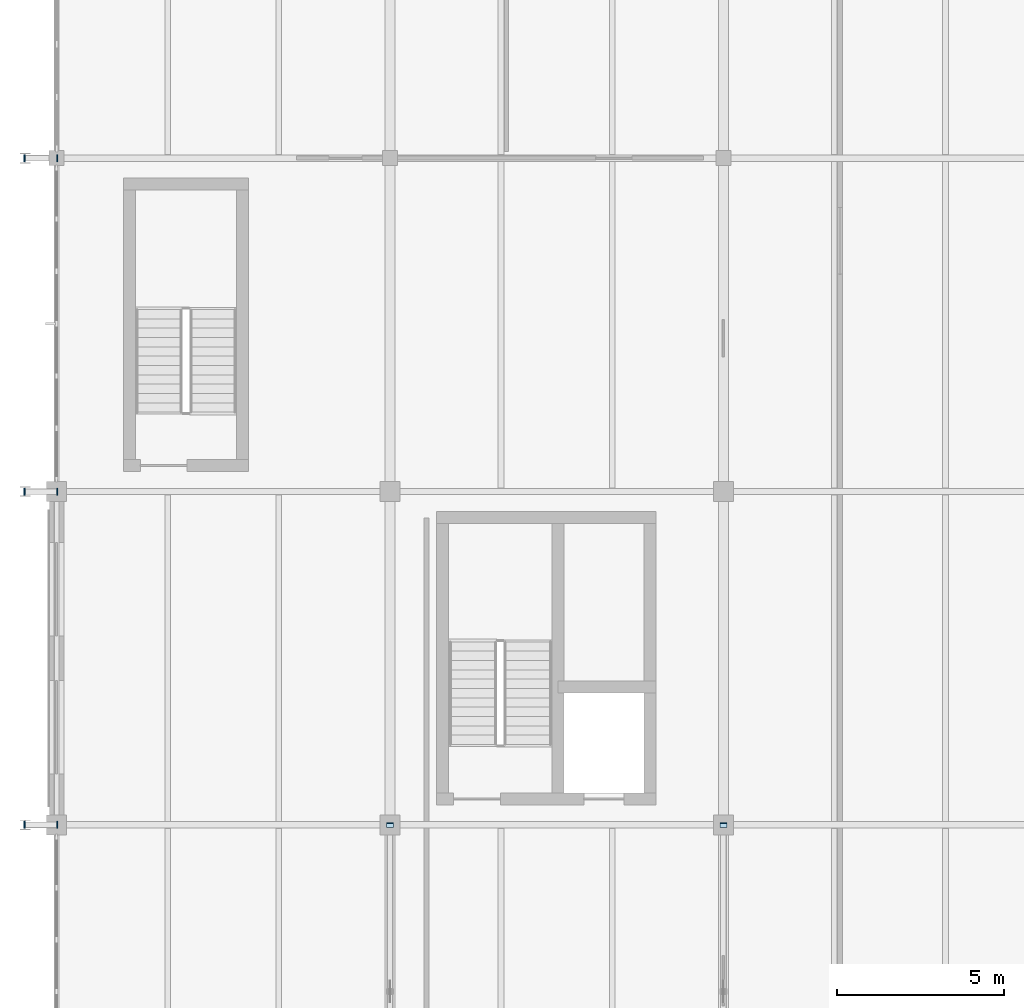
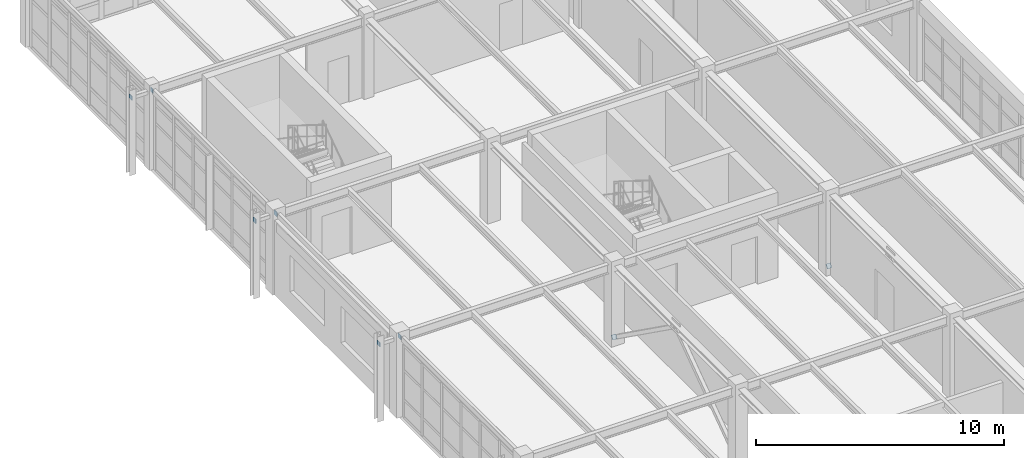
# One storey, part 99 of 122: 8 plates.
"""IFC4 building model written with IfcOpenShell, lengths in metres."""

from ifc_helpers import new_model, si_unit, direction, frame, origin, origin_2d, place, context, subcontext, project, spatial, rectangle, extrude, material, layer, layer_set, type_object, element, save


model = new_model("IFC4")

# Units and contexts
model_context = context("Model", 3, precision=1e-05, world=origin(), true_north=direction((0.0, 1.0)))
body_context = subcontext(model_context, "Body", "Model", "MODEL_VIEW")
ifc_project = project(units=[si_unit("LENGTHUNIT", "METRE"), si_unit("AREAUNIT", "SQUARE_METRE"), si_unit("VOLUMEUNIT", "CUBIC_METRE"), si_unit("PLANEANGLEUNIT", "RADIAN"), si_unit("MASSUNIT", "GRAM", prefix="KILO"), si_unit("THERMODYNAMICTEMPERATUREUNIT", "KELVIN"), si_unit("POWERUNIT", "WATT")], contexts=[model_context])

# Site, building, storey
site_placement = place(None, origin())
site = spatial("IfcSite", under=ifc_project, at=site_placement, CompositionType="ELEMENT")
building_placement = place(site_placement, origin())
building = spatial("IfcBuilding", under=site, at=building_placement, Name="Korenveer Ferry Terminal", CompositionType="ELEMENT")
storey_placement = place(building_placement, frame((0.0, 0.0, 10.199951171875)))
storey = spatial("IfcBuildingStorey", under=building, at=storey_placement, Name="L02", CompositionType="ELEMENT", Elevation=10.199951171875)

# Plates
ifc_material = material(Name="Steel S355", Category="steel")
ifc_layer = layer(ifc_material, 0.031982421875)
ifc_layer_set = layer_set([ifc_layer], Name="Steel S355")
plate_type = type_object("IfcPlateType", Name="STR-PLT-CAP32", PredefinedType="USERDEFINED", material=ifc_layer_set)
for number, where, z_axis, x_axis, name in (
    (1, (-0.98193359375, 50.0, 3.75), (1.0, 0.0, 0.0), (0.0, 1.0, 0.0), "Hollow section end cap 99"),
    (2, (0.0, 50.0, 3.75), (1.0, 0.0, 0.0), (0.0, 1.0, 0.0), "Hollow section end cap 100"),
    (3, (-0.98193359375, 60.0, 3.75), (1.0, 0.0, 0.0), (0.0, 1.0, 0.0), "Hollow section end cap 105"),
    (4, (0.0, 60.0, 3.75), (1.0, 0.0, 0.0), (0.0, 1.0, 0.0), "Hollow section end cap 106"),
    (5, (-0.98193359375, 70.0, 3.75), (1.0, 0.0, 0.0), (0.0, 1.0, 0.0), "Hollow section end cap 111"),
    (6, (0.0, 70.0, 3.75), (1.0, 0.0, 0.0), (0.0, 1.0, 0.0), "Hollow section end cap 112"),
    (7, (10.0, 49.97998046875, 0.239990234375), (0.0, 0.813512660964, -0.581547203975), (-1.0, 0.0, 0.0), "Hollow section end cap 613"),
    (8, (20.0, 49.97998046875, 0.239990234375), (0.0, 0.813512660964, -0.581547203975), (-1.0, 0.0, 0.0), "Hollow section end cap 617"),
):
    element("IfcPlate", number, at=place(storey_placement, frame(where, z_axis=z_axis, x_axis=x_axis)), inside=storey, type_object=plate_type, Name=name, ObjectType="END CAP PLATE", PredefinedType="USERDEFINED", context=body_context, shape_type="SweptSolid", body=[
        extrude(rectangle(XDim=0.2099609375, YDim=0.2099609375, at=origin_2d()), origin(), (0.0, 0.0, 1.0), 0.031982421875),
    ])

save(model, "model.ifc")
